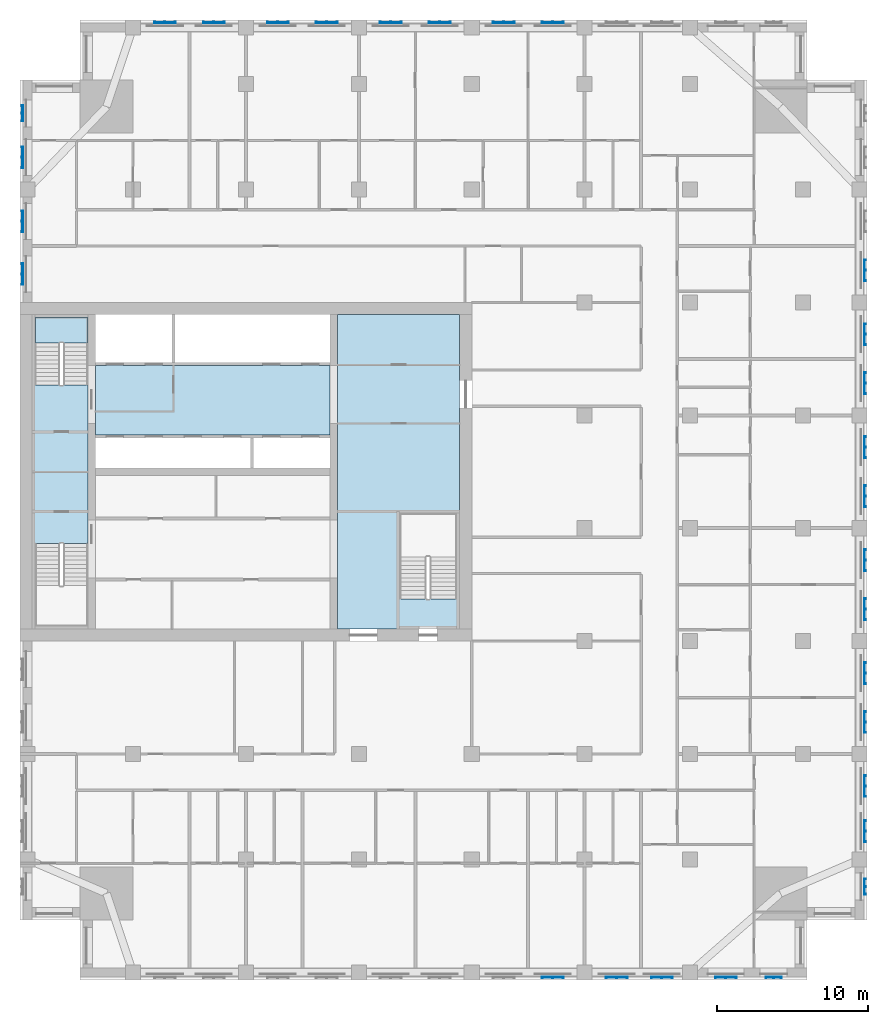
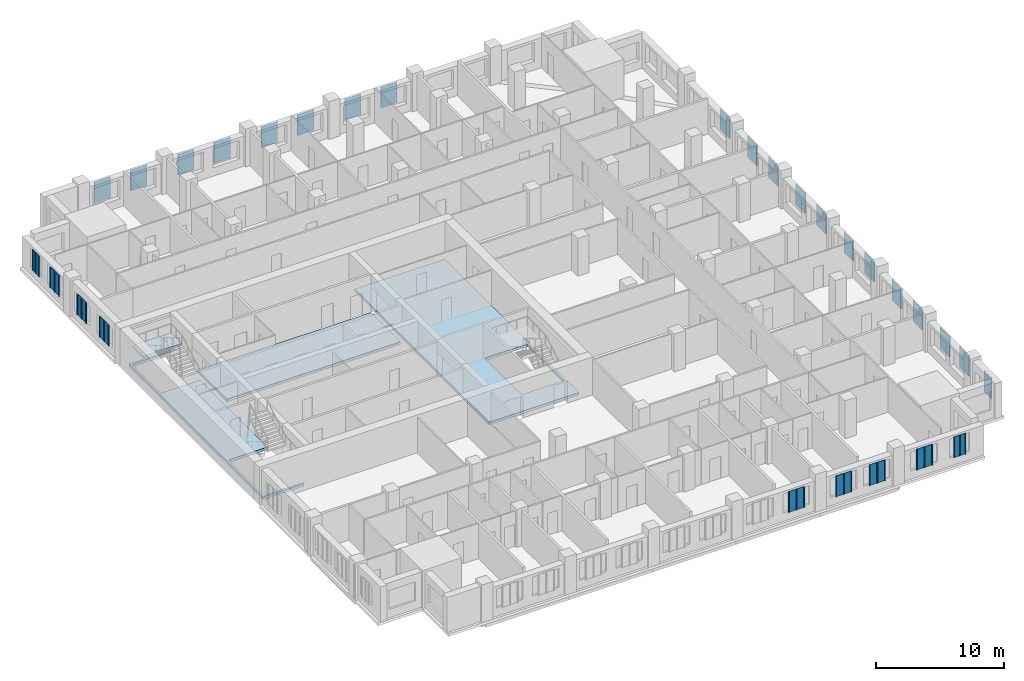
# One storey, part 2 of 14: 29 plates, 4 slabs, 1 element without a shape of its own.
"""IFC4 building model written with IfcOpenShell, lengths in metres."""

import ifcopenshell
import ifcopenshell.guid

model = None  # the IFC model being written
_history = None  # IfcOwnerHistory: only IFC2X3 demands one
_inside = {}  # id of a spatial element -> (the spatial element, [elements in it])
_under = {}  # id of a project, library or spatial element -> (it, [spatial elements below it])
_declared = {}  # id of a project -> (the project, [libraries it declares])
_typed = {}  # id of a type object -> (the type object, [elements of that type])
_made_of = {}  # id of a material, layer set ... -> (it, [elements and type objects made of it])


def new_model(schema):
    """Start an empty IFC model of exactly this schema.

    Asked for "IFC4X3", IfcOpenShell would pick the latest addendum, in which some entities
    have other attributes; the version numbers below select the first issue.
    IFC2X3 requires an IfcOwnerHistory on every rooted entity: one is made here for all.
    """
    global model, _history
    if schema == "IFC4X3":
        model = ifcopenshell.file(schema_version=(4, 3, 0, 0))
    else:
        model = ifcopenshell.file(schema=schema)
    _inside.clear()
    _under.clear()
    _declared.clear()
    _typed.clear()
    _made_of.clear()
    _history = None
    if model.schema == "IFC2X3":
        org = make("IfcOrganization", Name="unknown")
        user = make(
            "IfcPersonAndOrganization",
            ThePerson=make("IfcPerson", FamilyName="unknown"),
            TheOrganization=org,
        )
        app = make(
            "IfcApplication",
            ApplicationDeveloper=org,
            Version="unknown",
            ApplicationFullName="unknown",
            ApplicationIdentifier="unknown",
        )
        _history = make(
            "IfcOwnerHistory",
            OwningUser=user,
            OwningApplication=app,
            ChangeAction="ADDED",
            CreationDate=0,
        )
    return model


def make(cls, **values):
    """One entity of the class cls with the attributes given. An attribute that is None is left unset."""
    return model.create_entity(
        cls, **{name: value for name, value in values.items() if value is not None}
    )


def rooted(cls, **values):
    """An entity with a GlobalId (a new one), such as an element, a storey or a relation."""
    return make(cls, GlobalId=ifcopenshell.guid.new(), OwnerHistory=_history, **values)


def si_unit(unit_type, name, prefix=None):
    """IfcSIUnit, for example si_unit("LENGTHUNIT", "METRE", prefix="MILLI")."""
    return make("IfcSIUnit", UnitType=unit_type, Prefix=prefix, Name=name)


def assignment(units):
    """IfcUnitAssignment: the units of a project."""
    return None if units is None else make("IfcUnitAssignment", Units=units)


def point(xyz):
    """IfcCartesianPoint."""
    return None if xyz is None else make("IfcCartesianPoint", Coordinates=xyz)


def direction(xyz):
    """IfcDirection."""
    return None if xyz is None else make("IfcDirection", DirectionRatios=xyz)


def frame(location, z_axis=None, x_axis=None):
    """IfcAxis2Placement3D, a coordinate frame: its origin and axes. An axis left out is left unset."""
    return make(
        "IfcAxis2Placement3D",
        Location=point(location),
        Axis=direction(z_axis),
        RefDirection=direction(x_axis),
    )


def origin():
    """The frame at (0, 0, 0) with its axes left unset."""
    return frame((0.0, 0.0, 0.0))


def place(relative_to, where):
    """IfcLocalPlacement: puts the frame where relative to a parent placement (None: the world)."""
    return make(
        "IfcLocalPlacement", PlacementRelTo=relative_to, RelativePlacement=where
    )


def context(
    kind, dimensions, precision=None, world=None, true_north=None, identifier=None
):
    """IfcGeometricRepresentationContext, for example the 3D "Model" context."""
    return make(
        "IfcGeometricRepresentationContext",
        ContextIdentifier=identifier,
        ContextType=kind,
        CoordinateSpaceDimension=dimensions,
        Precision=precision,
        WorldCoordinateSystem=world,
        TrueNorth=true_north,
    )


def subcontext(parent, identifier, kind, view, scale=None):
    """IfcGeometricRepresentationSubContext, for example "Body" below "Model"."""
    return make(
        "IfcGeometricRepresentationSubContext",
        ContextIdentifier=identifier,
        ContextType=kind,
        ParentContext=parent,
        TargetScale=scale,
        TargetView=view,
    )


def project(units=None, contexts=None):
    """IfcProject with its units and contexts."""
    return rooted(
        "IfcProject",
        Name="project",
        RepresentationContexts=contexts,
        UnitsInContext=assignment(units),
    )


def spatial(cls, under=None, at=None, **own):
    """A site, building, storey or space (cls), placed at a placement, below another one or the project."""
    s = rooted(cls, ObjectPlacement=at, **own)
    if under is not None:
        _under.setdefault(under.id(), (under, []))[1].append(s)
    return s


def polyline(points):
    """IfcPolyline through the points."""
    return make("IfcPolyline", Points=[point(p) for p in points])


def outline(outer, holes=None, kind="AREA"):
    """IfcArbitraryClosedProfileDef: a profile drawn as a closed curve; with holes, ...WithVoids."""
    if holes is None:
        return make("IfcArbitraryClosedProfileDef", ProfileType=kind, OuterCurve=outer)
    return make(
        "IfcArbitraryProfileDefWithVoids",
        ProfileType=kind,
        OuterCurve=outer,
        InnerCurves=holes,
    )


def extrude(swept, where, along, depth):
    """IfcExtrudedAreaSolid: the profile swept, set in the frame where, extruded along a direction by depth."""
    return make(
        "IfcExtrudedAreaSolid",
        SweptArea=swept,
        Position=where,
        ExtrudedDirection=direction(along),
        Depth=depth,
    )


def shape(context_of_items, identifier, shape_type, items):
    """IfcShapeRepresentation: the items that make up one representation, for example the "Body"."""
    return make(
        "IfcShapeRepresentation",
        ContextOfItems=context_of_items,
        RepresentationIdentifier=identifier,
        RepresentationType=shape_type,
        Items=items,
    )


def material(Name=None, Category=None):
    """IfcMaterial."""
    return make("IfcMaterial", Name=Name, Category=Category)


def layer(
    of_material, thickness, ventilated=None, Name=None, Category=None, Priority=None
):
    """IfcMaterialLayer: one layer of a wall or slab, of a material (None: an air gap)."""
    return make(
        "IfcMaterialLayer",
        Material=of_material,
        LayerThickness=thickness,
        IsVentilated=ventilated,
        Name=Name,
        Category=Category,
        Priority=Priority,
    )


def layer_set(layers, Name=None):
    """IfcMaterialLayerSet."""
    return make("IfcMaterialLayerSet", MaterialLayers=layers, LayerSetName=Name)


def made_of(thing, what):
    """Note that an element or type object is made of a material, layer set ...; save() writes the relation."""
    if what is not None:
        _made_of.setdefault(what.id(), (what, []))[1].append(thing)
    return thing


def type_object(cls, material=None, **own):
    """A type object (cls), such as IfcWallType, which elements share."""
    return made_of(rooted(cls, **own), material)


def element(
    cls,
    number,
    at=None,
    inside=None,
    cuts=None,
    type_object=None,
    material=None,
    context=None,
    identifier="Body",
    shape_type=None,
    held_by="IfcProductDefinitionShape",
    body=None,
    shapes=None,
    **own,
):
    """One element of the class cls, such as IfcWall. Its Tag is "e" and its number.

    at: its placement. inside: the storey or other place that contains it. cuts: it is an
    opening in that element (IfcRelVoidsElement). A single representation is given by context,
    identifier, shape_type and body (its items); several are given by shapes. held_by: the class
    of the entity that holds the representations. save() writes the other relations.
    """
    e = rooted(cls, Tag="e%d" % number, ObjectPlacement=at, **own)
    if body is not None:
        shapes = [shape(context, identifier, shape_type, body)]
    if shapes is not None:
        e.Representation = make(held_by, Representations=shapes)
    if inside is not None:
        _inside.setdefault(inside.id(), (inside, []))[1].append(e)
    if cuts is not None:
        rooted(
            "IfcRelVoidsElement", RelatingBuildingElement=cuts, RelatedOpeningElement=e
        )
    if type_object is not None:
        _typed.setdefault(type_object.id(), (type_object, []))[1].append(e)
    return made_of(e, material)


def aggregate(whole, parts):
    """IfcRelAggregates: a whole, such as a stair, and the parts it consists of."""
    return rooted("IfcRelAggregates", RelatingObject=whole, RelatedObjects=parts)


def save(model, path):
    """Write the relations noted so far, then the file.

    IfcRelAggregates (storeys below a building ...), IfcRelContainedInSpatialStructure (elements
    in a storey), IfcRelDefinesByType, IfcRelAssociatesMaterial and IfcRelDeclares: one each for
    every whole, place, type object, material and project.
    """
    for whole, parts in _under.values():
        aggregate(whole, parts)
    for where, things in _inside.values():
        rooted(
            "IfcRelContainedInSpatialStructure",
            RelatedElements=things,
            RelatingStructure=where,
        )
    for kind, things in _typed.values():
        rooted("IfcRelDefinesByType", RelatedObjects=things, RelatingType=kind)
    for what, things in _made_of.values():
        rooted("IfcRelAssociatesMaterial", RelatedObjects=things, RelatingMaterial=what)
    for by, libraries in _declared.values():
        rooted("IfcRelDeclares", RelatingContext=by, RelatedDefinitions=libraries)
    model.write(path)


model = new_model("IFC4")

# Units and contexts
model_context = context("Model", 3, precision=1e-05, world=origin(), true_north=direction((0.0, 1.0)))
body_context = subcontext(model_context, "Body", "Model", "MODEL_VIEW")
ifc_project = project(units=[si_unit("LENGTHUNIT", "METRE"), si_unit("AREAUNIT", "SQUARE_METRE"), si_unit("VOLUMEUNIT", "CUBIC_METRE"), si_unit("PLANEANGLEUNIT", "RADIAN"), si_unit("MASSUNIT", "GRAM", prefix="KILO")], contexts=[model_context])

# Site, building, storey
site_placement = place(None, origin())
site = spatial("IfcSite", under=ifc_project, at=site_placement, CompositionType="ELEMENT")
building_placement = place(site_placement, origin())
building = spatial("IfcBuilding", under=site, at=building_placement, Name="Tamorin Gate", CompositionType="ELEMENT")
storey_placement = place(building_placement, frame((0.0, 0.0, 155.39990234375)))
storey = spatial("IfcBuildingStorey", under=building, at=storey_placement, Name="L38", CompositionType="ELEMENT", Elevation=155.39990234375)

# Slabs
ifc_material_1 = material(Name="Concrete C40/50", Category="concrete")
ifc_layer_1 = layer(ifc_material_1, 0.25)
ifc_layer_set_1 = layer_set([ifc_layer_1], Name="Core floor slab 250 C40/50")
slab_type_1 = type_object("IfcSlabType", Name="Core floor slab 250 C40/50", PredefinedType="FLOOR", material=ifc_layer_set_1)
slab_1_placement = place(storey_placement, frame((0.0, 0.0, -0.25)))
element("IfcSlab", 1, at=slab_1_placement, inside=storey, type_object=slab_type_1, Name="Core floor L38", PredefinedType="FLOOR", context=body_context, shape_type="SweptSolid", body=[
    extrude(outline(polyline([(51.10009765625, 81.699951171875), (59.199951171875, 81.699951171875), (59.199951171875, 60.800048828125), (51.10009765625, 60.800048828125), (51.10009765625, 81.699951171875)]), holes=[polyline([(55.199951171875, 62.800048828125), (59.0, 62.800048828125), (59.0, 68.5), (55.199951171875, 68.5), (55.199951171875, 62.800048828125)])]), origin(), (0.0, 0.0, 1.0), 0.25),
])
slab_2_placement = place(storey_placement, frame((0.0, 0.0, -0.25)))
element("IfcSlab", 2, at=slab_2_placement, inside=storey, type_object=slab_type_1, Name="Core floor L38", PredefinedType="FLOOR", context=body_context, shape_type="SweptSolid", body=[
    extrude(outline(polyline([(50.60009765625, 73.699951171875), (35.0, 73.699951171875), (35.0, 78.300048828125), (50.60009765625, 78.300048828125), (50.60009765625, 73.699951171875)])), origin(), (0.0, 0.0, 1.0), 0.25),
])
slab_3_placement = place(storey_placement, frame((0.0, 0.0, -0.25)))
element("IfcSlab", 3, at=slab_3_placement, inside=storey, type_object=slab_type_1, Name="Core floor L38", PredefinedType="FLOOR", context=body_context, shape_type="SweptSolid", body=[
    extrude(outline(polyline([(34.5, 60.800048828125), (30.800048828125, 60.800048828125), (30.800048828125, 81.699951171875), (34.5, 81.699951171875), (34.5, 81.5), (31.0, 81.5), (31.0, 77.0), (34.5, 77.0), (34.5, 66.5), (31.0, 66.5), (31.0, 61.0), (34.5, 61.0), (34.5, 60.800048828125)])), origin(), (0.0, 0.0, 1.0), 0.25),
])

# Stair, slab
stair_type = type_object("IfcStairType", Name="Exit stair", PredefinedType="HALF_TURN_STAIR", material=ifc_material_1)
stair_placement = place(storey_placement, origin())
stair = element("IfcStair", 4, at=stair_placement, inside=storey, type_object=stair_type, Name="L38 stair ST2", PredefinedType="HALF_TURN_STAIR")
ifc_layer_2 = layer(ifc_material_1, 0.199951171875)
ifc_layer_set_2 = layer_set([ifc_layer_2], Name="Exit stair landing 200")
slab_type_2 = type_object("IfcSlabType", Name="Exit stair landing 200", PredefinedType="LANDING", material=ifc_layer_set_2)
slab_4_placement = place(storey_placement, frame((0.0, 0.0, 1.60009765625)))
slab_4 = element("IfcSlab", 5, at=slab_4_placement, type_object=slab_type_2, Name="ST2 landing 1", PredefinedType="LANDING", context=body_context, shape_type="SweptSolid", body=[
    extrude(outline(polyline([(34.5, 79.800048828125), (34.5, 81.5), (31.0, 81.5), (31.0, 79.800048828125), (34.5, 79.800048828125)])), origin(), (0.0, 0.0, 1.0), 0.199951171875),
])
aggregate(stair, [slab_4])

# Plates
ifc_material_2 = material(Name="Perforated pale aluminium sheet", Category="aluminium")
ifc_layer_3 = layer(ifc_material_2, 0.0400390625)
ifc_layer_set_3 = layer_set([ifc_layer_3], Name="Pale metal solar screen 1080")
plate_type_1 = type_object("IfcPlateType", Name="Pale metal solar screen 1080", PredefinedType="SHEET", material=ifc_layer_set_3)
plate_1_placement = place(storey_placement, frame((0.0, 0.0, 0.710205078125)))
element("IfcPlate", 6, at=plate_1_placement, inside=storey, type_object=plate_type_1, Name="Perforated solar screen", PredefinedType="SHEET", context=body_context, shape_type="SweptSolid", body=[
    extrude(outline(polyline([(79.510009765625, 37.659912109375), (79.510009765625, 37.699951171875), (79.570068359375, 37.699951171875), (80.02001953125, 37.699951171875), (80.080078125, 37.699951171875), (80.530029296875, 37.699951171875), (80.590087890625, 37.699951171875), (80.590087890625, 37.659912109375), (80.590087890625, 37.60009765625), (80.530029296875, 37.60009765625), (80.530029296875, 37.659912109375), (80.080078125, 37.659912109375), (80.080078125, 37.60009765625), (80.02001953125, 37.60009765625), (80.02001953125, 37.659912109375), (79.570068359375, 37.659912109375), (79.570068359375, 37.60009765625), (79.510009765625, 37.60009765625), (79.510009765625, 37.659912109375)])), origin(), (0.0, 0.0, 1.0), 1.97998046875),
])
plate_2_placement = place(storey_placement, frame((0.0, 0.0, 0.710205078125)))
element("IfcPlate", 7, at=plate_2_placement, inside=storey, type_object=plate_type_1, Name="Perforated solar screen", PredefinedType="SHEET", context=body_context, shape_type="SweptSolid", body=[
    extrude(outline(polyline([(86.090087890625, 43.159912109375), (86.050048828125, 43.159912109375), (86.050048828125, 43.219970703125), (86.050048828125, 43.669921875), (86.050048828125, 43.72998046875), (86.050048828125, 44.179931640625), (86.050048828125, 44.239990234375), (86.090087890625, 44.239990234375), (86.14990234375, 44.239990234375), (86.14990234375, 44.179931640625), (86.090087890625, 44.179931640625), (86.090087890625, 43.72998046875), (86.14990234375, 43.72998046875), (86.14990234375, 43.669921875), (86.090087890625, 43.669921875), (86.090087890625, 43.219970703125), (86.14990234375, 43.219970703125), (86.14990234375, 43.159912109375), (86.090087890625, 43.159912109375)])), origin(), (0.0, 0.0, 1.0), 1.97998046875),
])
plate_3_placement = place(storey_placement, frame((0.0, 0.0, 0.710205078125)))
element("IfcPlate", 8, at=plate_3_placement, inside=storey, type_object=plate_type_1, Name="Perforated solar screen", PredefinedType="SHEET", context=body_context, shape_type="SweptSolid", body=[
    extrude(outline(polyline([(30.159912109375, 95.590087890625), (30.199951171875, 95.590087890625), (30.199951171875, 95.530029296875), (30.199951171875, 95.080078125), (30.199951171875, 95.02001953125), (30.199951171875, 94.570068359375), (30.199951171875, 94.510009765625), (30.159912109375, 94.510009765625), (30.10009765625, 94.510009765625), (30.10009765625, 94.570068359375), (30.159912109375, 94.570068359375), (30.159912109375, 95.02001953125), (30.10009765625, 95.02001953125), (30.10009765625, 95.080078125), (30.159912109375, 95.080078125), (30.159912109375, 95.530029296875), (30.10009765625, 95.530029296875), (30.10009765625, 95.590087890625), (30.159912109375, 95.590087890625)])), origin(), (0.0, 0.0, 1.0), 1.97998046875),
])
ifc_layer_4 = layer(ifc_material_2, 0.0400390625)
ifc_layer_set_4 = layer_set([ifc_layer_4], Name="Pale metal solar screen 1440")
plate_type_2 = type_object("IfcPlateType", Name="Pale metal solar screen 1440", PredefinedType="SHEET", material=ifc_layer_set_4)
plate_4_placement = place(storey_placement, frame((0.0, 0.0, 0.710205078125)))
element("IfcPlate", 9, at=plate_4_placement, inside=storey, type_object=plate_type_2, Name="Perforated solar screen", PredefinedType="SHEET", context=body_context, shape_type="SweptSolid", body=[
    extrude(outline(polyline([(64.655029296875, 37.659912109375), (64.655029296875, 37.699951171875), (64.715087890625, 37.699951171875), (65.344970703125, 37.699951171875), (65.405029296875, 37.699951171875), (66.034912109375, 37.699951171875), (66.094970703125, 37.699951171875), (66.094970703125, 37.659912109375), (66.094970703125, 37.60009765625), (66.034912109375, 37.60009765625), (66.034912109375, 37.659912109375), (65.405029296875, 37.659912109375), (65.405029296875, 37.60009765625), (65.344970703125, 37.60009765625), (65.344970703125, 37.659912109375), (64.715087890625, 37.659912109375), (64.715087890625, 37.60009765625), (64.655029296875, 37.60009765625), (64.655029296875, 37.659912109375)])), origin(), (0.0, 0.0, 1.0), 1.97998046875),
])
plate_5_placement = place(storey_placement, frame((0.0, 0.0, 0.710205078125)))
element("IfcPlate", 10, at=plate_5_placement, inside=storey, type_object=plate_type_2, Name="Perforated solar screen", PredefinedType="SHEET", context=body_context, shape_type="SweptSolid", body=[
    extrude(outline(polyline([(68.905029296875, 37.659912109375), (68.905029296875, 37.699951171875), (68.965087890625, 37.699951171875), (69.594970703125, 37.699951171875), (69.655029296875, 37.699951171875), (70.284912109375, 37.699951171875), (70.344970703125, 37.699951171875), (70.344970703125, 37.659912109375), (70.344970703125, 37.60009765625), (70.284912109375, 37.60009765625), (70.284912109375, 37.659912109375), (69.655029296875, 37.659912109375), (69.655029296875, 37.60009765625), (69.594970703125, 37.60009765625), (69.594970703125, 37.659912109375), (68.965087890625, 37.659912109375), (68.965087890625, 37.60009765625), (68.905029296875, 37.60009765625), (68.905029296875, 37.659912109375)])), origin(), (0.0, 0.0, 1.0), 1.97998046875),
])
plate_6_placement = place(storey_placement, frame((0.0, 0.0, 0.710205078125)))
element("IfcPlate", 11, at=plate_6_placement, inside=storey, type_object=plate_type_2, Name="Perforated solar screen", PredefinedType="SHEET", context=body_context, shape_type="SweptSolid", body=[
    extrude(outline(polyline([(71.905029296875, 37.659912109375), (71.905029296875, 37.699951171875), (71.965087890625, 37.699951171875), (72.594970703125, 37.699951171875), (72.655029296875, 37.699951171875), (73.284912109375, 37.699951171875), (73.344970703125, 37.699951171875), (73.344970703125, 37.659912109375), (73.344970703125, 37.60009765625), (73.284912109375, 37.60009765625), (73.284912109375, 37.659912109375), (72.655029296875, 37.659912109375), (72.655029296875, 37.60009765625), (72.594970703125, 37.60009765625), (72.594970703125, 37.659912109375), (71.965087890625, 37.659912109375), (71.965087890625, 37.60009765625), (71.905029296875, 37.60009765625), (71.905029296875, 37.659912109375)])), origin(), (0.0, 0.0, 1.0), 1.97998046875),
])
plate_7_placement = place(storey_placement, frame((0.0, 0.0, 0.710205078125)))
element("IfcPlate", 12, at=plate_7_placement, inside=storey, type_object=plate_type_2, Name="Perforated solar screen", PredefinedType="SHEET", context=body_context, shape_type="SweptSolid", body=[
    extrude(outline(polyline([(76.155029296875, 37.659912109375), (76.155029296875, 37.699951171875), (76.215087890625, 37.699951171875), (76.844970703125, 37.699951171875), (76.905029296875, 37.699951171875), (77.534912109375, 37.699951171875), (77.594970703125, 37.699951171875), (77.594970703125, 37.659912109375), (77.594970703125, 37.60009765625), (77.534912109375, 37.60009765625), (77.534912109375, 37.659912109375), (76.905029296875, 37.659912109375), (76.905029296875, 37.60009765625), (76.844970703125, 37.60009765625), (76.844970703125, 37.659912109375), (76.215087890625, 37.659912109375), (76.215087890625, 37.60009765625), (76.155029296875, 37.60009765625), (76.155029296875, 37.659912109375)])), origin(), (0.0, 0.0, 1.0), 1.97998046875),
])
plate_8_placement = place(storey_placement, frame((0.0, 0.0, 0.710205078125)))
element("IfcPlate", 13, at=plate_8_placement, inside=storey, type_object=plate_type_2, Name="Perforated solar screen", PredefinedType="SHEET", context=body_context, shape_type="SweptSolid", body=[
    extrude(outline(polyline([(86.090087890625, 46.655029296875), (86.050048828125, 46.655029296875), (86.050048828125, 46.715087890625), (86.050048828125, 47.344970703125), (86.050048828125, 47.405029296875), (86.050048828125, 48.034912109375), (86.050048828125, 48.094970703125), (86.050048828125, 48.094970703125), (86.090087890625, 48.094970703125), (86.090087890625, 48.094970703125), (86.14990234375, 48.094970703125), (86.14990234375, 48.034912109375), (86.090087890625, 48.034912109375), (86.090087890625, 47.405029296875), (86.14990234375, 47.405029296875), (86.14990234375, 47.344970703125), (86.090087890625, 47.344970703125), (86.090087890625, 46.715087890625), (86.14990234375, 46.715087890625), (86.14990234375, 46.655029296875), (86.090087890625, 46.655029296875)])), origin(), (0.0, 0.0, 1.0), 1.97998046875),
])
plate_9_placement = place(storey_placement, frame((0.0, 0.0, 0.710205078125)))
element("IfcPlate", 14, at=plate_9_placement, inside=storey, type_object=plate_type_2, Name="Perforated solar screen", PredefinedType="SHEET", context=body_context, shape_type="SweptSolid", body=[
    extrude(outline(polyline([(86.090087890625, 49.655029296875), (86.050048828125, 49.655029296875), (86.050048828125, 49.715087890625), (86.050048828125, 50.344970703125), (86.050048828125, 50.405029296875), (86.050048828125, 51.034912109375), (86.050048828125, 51.094970703125), (86.090087890625, 51.094970703125), (86.14990234375, 51.094970703125), (86.14990234375, 51.034912109375), (86.090087890625, 51.034912109375), (86.090087890625, 50.405029296875), (86.14990234375, 50.405029296875), (86.14990234375, 50.344970703125), (86.090087890625, 50.344970703125), (86.090087890625, 49.715087890625), (86.14990234375, 49.715087890625), (86.14990234375, 49.655029296875), (86.090087890625, 49.655029296875)])), origin(), (0.0, 0.0, 1.0), 1.97998046875),
])
plate_10_placement = place(storey_placement, frame((0.0, 0.0, 0.710205078125)))
element("IfcPlate", 15, at=plate_10_placement, inside=storey, type_object=plate_type_2, Name="Perforated solar screen", PredefinedType="SHEET", context=body_context, shape_type="SweptSolid", body=[
    extrude(outline(polyline([(86.090087890625, 53.905029296875), (86.050048828125, 53.905029296875), (86.050048828125, 53.965087890625), (86.050048828125, 54.594970703125), (86.050048828125, 54.655029296875), (86.050048828125, 55.284912109375), (86.050048828125, 55.344970703125), (86.090087890625, 55.344970703125), (86.14990234375, 55.344970703125), (86.14990234375, 55.284912109375), (86.090087890625, 55.284912109375), (86.090087890625, 54.655029296875), (86.14990234375, 54.655029296875), (86.14990234375, 54.594970703125), (86.090087890625, 54.594970703125), (86.090087890625, 53.965087890625), (86.14990234375, 53.965087890625), (86.14990234375, 53.905029296875), (86.090087890625, 53.905029296875)])), origin(), (0.0, 0.0, 1.0), 1.97998046875),
])
plate_11_placement = place(storey_placement, frame((0.0, 0.0, 0.710205078125)))
element("IfcPlate", 16, at=plate_11_placement, inside=storey, type_object=plate_type_2, Name="Perforated solar screen", PredefinedType="SHEET", context=body_context, shape_type="SweptSolid", body=[
    extrude(outline(polyline([(86.090087890625, 57.155029296875), (86.050048828125, 57.155029296875), (86.050048828125, 57.215087890625), (86.050048828125, 57.844970703125), (86.050048828125, 57.905029296875), (86.050048828125, 58.534912109375), (86.050048828125, 58.594970703125), (86.090087890625, 58.594970703125), (86.14990234375, 58.594970703125), (86.14990234375, 58.534912109375), (86.090087890625, 58.534912109375), (86.090087890625, 57.905029296875), (86.14990234375, 57.905029296875), (86.14990234375, 57.844970703125), (86.090087890625, 57.844970703125), (86.090087890625, 57.215087890625), (86.14990234375, 57.215087890625), (86.14990234375, 57.155029296875), (86.090087890625, 57.155029296875)])), origin(), (0.0, 0.0, 1.0), 1.97998046875),
])
plate_12_placement = place(storey_placement, frame((0.0, 0.0, 0.710205078125)))
element("IfcPlate", 17, at=plate_12_placement, inside=storey, type_object=plate_type_2, Name="Perforated solar screen", PredefinedType="SHEET", context=body_context, shape_type="SweptSolid", body=[
    extrude(outline(polyline([(86.090087890625, 61.405029296875), (86.050048828125, 61.405029296875), (86.050048828125, 61.465087890625), (86.050048828125, 62.094970703125), (86.050048828125, 62.155029296875), (86.050048828125, 62.784912109375), (86.050048828125, 62.844970703125), (86.090087890625, 62.844970703125), (86.14990234375, 62.844970703125), (86.14990234375, 62.784912109375), (86.090087890625, 62.784912109375), (86.090087890625, 62.155029296875), (86.14990234375, 62.155029296875), (86.14990234375, 62.094970703125), (86.090087890625, 62.094970703125), (86.090087890625, 61.465087890625), (86.14990234375, 61.465087890625), (86.14990234375, 61.405029296875), (86.090087890625, 61.405029296875)])), origin(), (0.0, 0.0, 1.0), 1.97998046875),
])
plate_13_placement = place(storey_placement, frame((0.0, 0.0, 0.710205078125)))
element("IfcPlate", 18, at=plate_13_placement, inside=storey, type_object=plate_type_2, Name="Perforated solar screen", PredefinedType="SHEET", context=body_context, shape_type="SweptSolid", body=[
    extrude(outline(polyline([(86.090087890625, 64.655029296875), (86.050048828125, 64.655029296875), (86.050048828125, 64.715087890625), (86.050048828125, 65.344970703125), (86.050048828125, 65.405029296875), (86.050048828125, 66.034912109375), (86.050048828125, 66.094970703125), (86.090087890625, 66.094970703125), (86.14990234375, 66.094970703125), (86.14990234375, 66.034912109375), (86.090087890625, 66.034912109375), (86.090087890625, 65.405029296875), (86.14990234375, 65.405029296875), (86.14990234375, 65.344970703125), (86.090087890625, 65.344970703125), (86.090087890625, 64.715087890625), (86.14990234375, 64.715087890625), (86.14990234375, 64.655029296875), (86.090087890625, 64.655029296875)])), origin(), (0.0, 0.0, 1.0), 1.97998046875),
])
plate_14_placement = place(storey_placement, frame((0.0, 0.0, 0.710205078125)))
element("IfcPlate", 19, at=plate_14_placement, inside=storey, type_object=plate_type_2, Name="Perforated solar screen", PredefinedType="SHEET", context=body_context, shape_type="SweptSolid", body=[
    extrude(outline(polyline([(86.090087890625, 68.905029296875), (86.050048828125, 68.905029296875), (86.050048828125, 68.965087890625), (86.050048828125, 69.594970703125), (86.050048828125, 69.655029296875), (86.050048828125, 70.284912109375), (86.050048828125, 70.344970703125), (86.090087890625, 70.344970703125), (86.14990234375, 70.344970703125), (86.14990234375, 70.284912109375), (86.090087890625, 70.284912109375), (86.090087890625, 69.655029296875), (86.14990234375, 69.655029296875), (86.14990234375, 69.594970703125), (86.090087890625, 69.594970703125), (86.090087890625, 68.965087890625), (86.14990234375, 68.965087890625), (86.14990234375, 68.905029296875), (86.090087890625, 68.905029296875)])), origin(), (0.0, 0.0, 1.0), 1.97998046875),
])
plate_15_placement = place(storey_placement, frame((0.0, 0.0, 0.710205078125)))
element("IfcPlate", 20, at=plate_15_placement, inside=storey, type_object=plate_type_2, Name="Perforated solar screen", PredefinedType="SHEET", context=body_context, shape_type="SweptSolid", body=[
    extrude(outline(polyline([(86.090087890625, 72.155029296875), (86.050048828125, 72.155029296875), (86.050048828125, 72.215087890625), (86.050048828125, 72.844970703125), (86.050048828125, 72.905029296875), (86.050048828125, 73.534912109375), (86.050048828125, 73.594970703125), (86.090087890625, 73.594970703125), (86.14990234375, 73.594970703125), (86.14990234375, 73.534912109375), (86.090087890625, 73.534912109375), (86.090087890625, 72.905029296875), (86.14990234375, 72.905029296875), (86.14990234375, 72.844970703125), (86.090087890625, 72.844970703125), (86.090087890625, 72.215087890625), (86.14990234375, 72.215087890625), (86.14990234375, 72.155029296875), (86.090087890625, 72.155029296875)])), origin(), (0.0, 0.0, 1.0), 1.97998046875),
])
plate_16_placement = place(storey_placement, frame((0.0, 0.0, 0.710205078125)))
element("IfcPlate", 21, at=plate_16_placement, inside=storey, type_object=plate_type_2, Name="Perforated solar screen", PredefinedType="SHEET", context=body_context, shape_type="SweptSolid", body=[
    extrude(outline(polyline([(86.090087890625, 76.405029296875), (86.050048828125, 76.405029296875), (86.050048828125, 76.465087890625), (86.050048828125, 77.094970703125), (86.050048828125, 77.155029296875), (86.050048828125, 77.784912109375), (86.050048828125, 77.844970703125), (86.090087890625, 77.844970703125), (86.14990234375, 77.844970703125), (86.14990234375, 77.784912109375), (86.090087890625, 77.784912109375), (86.090087890625, 77.155029296875), (86.14990234375, 77.155029296875), (86.14990234375, 77.094970703125), (86.090087890625, 77.094970703125), (86.090087890625, 76.465087890625), (86.14990234375, 76.465087890625), (86.14990234375, 76.405029296875), (86.090087890625, 76.405029296875)])), origin(), (0.0, 0.0, 1.0), 1.97998046875),
])
plate_17_placement = place(storey_placement, frame((0.0, 0.0, 0.710205078125)))
element("IfcPlate", 22, at=plate_17_placement, inside=storey, type_object=plate_type_2, Name="Perforated solar screen", PredefinedType="SHEET", context=body_context, shape_type="SweptSolid", body=[
    extrude(outline(polyline([(86.090087890625, 79.655029296875), (86.050048828125, 79.655029296875), (86.050048828125, 79.715087890625), (86.050048828125, 80.344970703125), (86.050048828125, 80.405029296875), (86.050048828125, 81.034912109375), (86.050048828125, 81.094970703125), (86.090087890625, 81.094970703125), (86.14990234375, 81.094970703125), (86.14990234375, 81.034912109375), (86.090087890625, 81.034912109375), (86.090087890625, 80.405029296875), (86.14990234375, 80.405029296875), (86.14990234375, 80.344970703125), (86.090087890625, 80.344970703125), (86.090087890625, 79.715087890625), (86.14990234375, 79.715087890625), (86.14990234375, 79.655029296875), (86.090087890625, 79.655029296875)])), origin(), (0.0, 0.0, 1.0), 1.97998046875),
])
plate_18_placement = place(storey_placement, frame((0.0, 0.0, 0.710205078125)))
element("IfcPlate", 23, at=plate_18_placement, inside=storey, type_object=plate_type_2, Name="Perforated solar screen", PredefinedType="SHEET", context=body_context, shape_type="SweptSolid", body=[
    extrude(outline(polyline([(86.090087890625, 83.905029296875), (86.050048828125, 83.905029296875), (86.050048828125, 83.965087890625), (86.050048828125, 84.594970703125), (86.050048828125, 84.655029296875), (86.050048828125, 85.284912109375), (86.050048828125, 85.344970703125), (86.090087890625, 85.344970703125), (86.14990234375, 85.344970703125), (86.14990234375, 85.284912109375), (86.090087890625, 85.284912109375), (86.090087890625, 84.655029296875), (86.14990234375, 84.655029296875), (86.14990234375, 84.594970703125), (86.090087890625, 84.594970703125), (86.090087890625, 83.965087890625), (86.14990234375, 83.965087890625), (86.14990234375, 83.905029296875), (86.090087890625, 83.905029296875)])), origin(), (0.0, 0.0, 1.0), 1.97998046875),
])
plate_19_placement = place(storey_placement, frame((0.0, 0.0, 0.710205078125)))
element("IfcPlate", 24, at=plate_19_placement, inside=storey, type_object=plate_type_2, Name="Perforated solar screen", PredefinedType="SHEET", context=body_context, shape_type="SweptSolid", body=[
    extrude(outline(polyline([(62.844970703125, 101.090087890625), (62.844970703125, 101.050048828125), (62.784912109375, 101.050048828125), (62.155029296875, 101.050048828125), (62.094970703125, 101.050048828125), (61.465087890625, 101.050048828125), (61.405029296875, 101.050048828125), (61.405029296875, 101.090087890625), (61.405029296875, 101.14990234375), (61.465087890625, 101.14990234375), (61.465087890625, 101.090087890625), (62.094970703125, 101.090087890625), (62.094970703125, 101.14990234375), (62.155029296875, 101.14990234375), (62.155029296875, 101.090087890625), (62.784912109375, 101.090087890625), (62.784912109375, 101.14990234375), (62.844970703125, 101.14990234375), (62.844970703125, 101.090087890625)])), origin(), (0.0, 0.0, 1.0), 1.97998046875),
])
plate_20_placement = place(storey_placement, frame((0.0, 0.0, 0.710205078125)))
element("IfcPlate", 25, at=plate_20_placement, inside=storey, type_object=plate_type_2, Name="Perforated solar screen", PredefinedType="SHEET", context=body_context, shape_type="SweptSolid", body=[
    extrude(outline(polyline([(66.094970703125, 101.090087890625), (66.094970703125, 101.050048828125), (66.034912109375, 101.050048828125), (65.405029296875, 101.050048828125), (65.344970703125, 101.050048828125), (64.715087890625, 101.050048828125), (64.655029296875, 101.050048828125), (64.655029296875, 101.090087890625), (64.655029296875, 101.14990234375), (64.715087890625, 101.14990234375), (64.715087890625, 101.090087890625), (65.344970703125, 101.090087890625), (65.344970703125, 101.14990234375), (65.405029296875, 101.14990234375), (65.405029296875, 101.090087890625), (66.034912109375, 101.090087890625), (66.034912109375, 101.14990234375), (66.094970703125, 101.14990234375), (66.094970703125, 101.090087890625)])), origin(), (0.0, 0.0, 1.0), 1.97998046875),
])
plate_21_placement = place(storey_placement, frame((0.0, 0.0, 0.710205078125)))
element("IfcPlate", 26, at=plate_21_placement, inside=storey, type_object=plate_type_2, Name="Perforated solar screen", PredefinedType="SHEET", context=body_context, shape_type="SweptSolid", body=[
    extrude(outline(polyline([(55.344970703125, 101.090087890625), (55.344970703125, 101.050048828125), (55.284912109375, 101.050048828125), (54.655029296875, 101.050048828125), (54.594970703125, 101.050048828125), (53.965087890625, 101.050048828125), (53.905029296875, 101.050048828125), (53.905029296875, 101.090087890625), (53.905029296875, 101.14990234375), (53.965087890625, 101.14990234375), (53.965087890625, 101.090087890625), (54.594970703125, 101.090087890625), (54.594970703125, 101.14990234375), (54.655029296875, 101.14990234375), (54.655029296875, 101.090087890625), (55.284912109375, 101.090087890625), (55.284912109375, 101.14990234375), (55.344970703125, 101.14990234375), (55.344970703125, 101.090087890625)])), origin(), (0.0, 0.0, 1.0), 1.97998046875),
])
plate_22_placement = place(storey_placement, frame((0.0, 0.0, 0.710205078125)))
element("IfcPlate", 27, at=plate_22_placement, inside=storey, type_object=plate_type_2, Name="Perforated solar screen", PredefinedType="SHEET", context=body_context, shape_type="SweptSolid", body=[
    extrude(outline(polyline([(58.594970703125, 101.090087890625), (58.594970703125, 101.050048828125), (58.534912109375, 101.050048828125), (57.905029296875, 101.050048828125), (57.844970703125, 101.050048828125), (57.215087890625, 101.050048828125), (57.155029296875, 101.050048828125), (57.155029296875, 101.090087890625), (57.155029296875, 101.14990234375), (57.215087890625, 101.14990234375), (57.215087890625, 101.090087890625), (57.844970703125, 101.090087890625), (57.844970703125, 101.14990234375), (57.905029296875, 101.14990234375), (57.905029296875, 101.090087890625), (58.534912109375, 101.090087890625), (58.534912109375, 101.14990234375), (58.594970703125, 101.14990234375), (58.594970703125, 101.090087890625)])), origin(), (0.0, 0.0, 1.0), 1.97998046875),
])
plate_23_placement = place(storey_placement, frame((0.0, 0.0, 0.710205078125)))
element("IfcPlate", 28, at=plate_23_placement, inside=storey, type_object=plate_type_2, Name="Perforated solar screen", PredefinedType="SHEET", context=body_context, shape_type="SweptSolid", body=[
    extrude(outline(polyline([(47.844970703125, 101.090087890625), (47.844970703125, 101.050048828125), (47.784912109375, 101.050048828125), (47.155029296875, 101.050048828125), (47.094970703125, 101.050048828125), (46.465087890625, 101.050048828125), (46.405029296875, 101.050048828125), (46.405029296875, 101.090087890625), (46.405029296875, 101.14990234375), (46.465087890625, 101.14990234375), (46.465087890625, 101.090087890625), (47.094970703125, 101.090087890625), (47.094970703125, 101.14990234375), (47.155029296875, 101.14990234375), (47.155029296875, 101.090087890625), (47.784912109375, 101.090087890625), (47.784912109375, 101.14990234375), (47.844970703125, 101.14990234375), (47.844970703125, 101.090087890625)])), origin(), (0.0, 0.0, 1.0), 1.97998046875),
])
plate_24_placement = place(storey_placement, frame((0.0, 0.0, 0.710205078125)))
element("IfcPlate", 29, at=plate_24_placement, inside=storey, type_object=plate_type_2, Name="Perforated solar screen", PredefinedType="SHEET", context=body_context, shape_type="SweptSolid", body=[
    extrude(outline(polyline([(51.094970703125, 101.090087890625), (51.094970703125, 101.050048828125), (51.034912109375, 101.050048828125), (50.405029296875, 101.050048828125), (50.344970703125, 101.050048828125), (49.715087890625, 101.050048828125), (49.655029296875, 101.050048828125), (49.655029296875, 101.090087890625), (49.655029296875, 101.14990234375), (49.715087890625, 101.14990234375), (49.715087890625, 101.090087890625), (50.344970703125, 101.090087890625), (50.344970703125, 101.14990234375), (50.405029296875, 101.14990234375), (50.405029296875, 101.090087890625), (51.034912109375, 101.090087890625), (51.034912109375, 101.14990234375), (51.094970703125, 101.14990234375), (51.094970703125, 101.090087890625)])), origin(), (0.0, 0.0, 1.0), 1.97998046875),
])
plate_25_placement = place(storey_placement, frame((0.0, 0.0, 0.710205078125)))
element("IfcPlate", 30, at=plate_25_placement, inside=storey, type_object=plate_type_2, Name="Perforated solar screen", PredefinedType="SHEET", context=body_context, shape_type="SweptSolid", body=[
    extrude(outline(polyline([(40.344970703125, 101.090087890625), (40.344970703125, 101.050048828125), (40.284912109375, 101.050048828125), (39.655029296875, 101.050048828125), (39.594970703125, 101.050048828125), (38.965087890625, 101.050048828125), (38.905029296875, 101.050048828125), (38.905029296875, 101.090087890625), (38.905029296875, 101.14990234375), (38.965087890625, 101.14990234375), (38.965087890625, 101.090087890625), (39.594970703125, 101.090087890625), (39.594970703125, 101.14990234375), (39.655029296875, 101.14990234375), (39.655029296875, 101.090087890625), (40.284912109375, 101.090087890625), (40.284912109375, 101.14990234375), (40.344970703125, 101.14990234375), (40.344970703125, 101.090087890625)])), origin(), (0.0, 0.0, 1.0), 1.97998046875),
])
plate_26_placement = place(storey_placement, frame((0.0, 0.0, 0.710205078125)))
element("IfcPlate", 31, at=plate_26_placement, inside=storey, type_object=plate_type_2, Name="Perforated solar screen", PredefinedType="SHEET", context=body_context, shape_type="SweptSolid", body=[
    extrude(outline(polyline([(43.594970703125, 101.090087890625), (43.594970703125, 101.050048828125), (43.534912109375, 101.050048828125), (42.905029296875, 101.050048828125), (42.844970703125, 101.050048828125), (42.215087890625, 101.050048828125), (42.155029296875, 101.050048828125), (42.155029296875, 101.090087890625), (42.155029296875, 101.14990234375), (42.215087890625, 101.14990234375), (42.215087890625, 101.090087890625), (42.844970703125, 101.090087890625), (42.844970703125, 101.14990234375), (42.905029296875, 101.14990234375), (42.905029296875, 101.090087890625), (43.534912109375, 101.090087890625), (43.534912109375, 101.14990234375), (43.594970703125, 101.14990234375), (43.594970703125, 101.090087890625)])), origin(), (0.0, 0.0, 1.0), 1.97998046875),
])
plate_27_placement = place(storey_placement, frame((0.0, 0.0, 0.710205078125)))
element("IfcPlate", 32, at=plate_27_placement, inside=storey, type_object=plate_type_2, Name="Perforated solar screen", PredefinedType="SHEET", context=body_context, shape_type="SweptSolid", body=[
    extrude(outline(polyline([(30.159912109375, 92.844970703125), (30.199951171875, 92.844970703125), (30.199951171875, 92.784912109375), (30.199951171875, 92.155029296875), (30.199951171875, 92.094970703125), (30.199951171875, 91.465087890625), (30.199951171875, 91.405029296875), (30.199951171875, 91.405029296875), (30.159912109375, 91.405029296875), (30.159912109375, 91.405029296875), (30.10009765625, 91.405029296875), (30.10009765625, 91.465087890625), (30.159912109375, 91.465087890625), (30.159912109375, 92.094970703125), (30.10009765625, 92.094970703125), (30.10009765625, 92.155029296875), (30.159912109375, 92.155029296875), (30.159912109375, 92.784912109375), (30.10009765625, 92.784912109375), (30.10009765625, 92.844970703125), (30.159912109375, 92.844970703125)])), origin(), (0.0, 0.0, 1.0), 1.97998046875),
])
plate_28_placement = place(storey_placement, frame((0.0, 0.0, 0.710205078125)))
element("IfcPlate", 33, at=plate_28_placement, inside=storey, type_object=plate_type_2, Name="Perforated solar screen", PredefinedType="SHEET", context=body_context, shape_type="SweptSolid", body=[
    extrude(outline(polyline([(30.159912109375, 85.094970703125), (30.199951171875, 85.094970703125), (30.199951171875, 85.034912109375), (30.199951171875, 84.405029296875), (30.199951171875, 84.344970703125), (30.199951171875, 83.715087890625), (30.199951171875, 83.655029296875), (30.159912109375, 83.655029296875), (30.10009765625, 83.655029296875), (30.10009765625, 83.715087890625), (30.159912109375, 83.715087890625), (30.159912109375, 84.344970703125), (30.10009765625, 84.344970703125), (30.10009765625, 84.405029296875), (30.159912109375, 84.405029296875), (30.159912109375, 85.034912109375), (30.10009765625, 85.034912109375), (30.10009765625, 85.094970703125), (30.159912109375, 85.094970703125)])), origin(), (0.0, 0.0, 1.0), 1.97998046875),
])
plate_29_placement = place(storey_placement, frame((0.0, 0.0, 0.710205078125)))
element("IfcPlate", 34, at=plate_29_placement, inside=storey, type_object=plate_type_2, Name="Perforated solar screen", PredefinedType="SHEET", context=body_context, shape_type="SweptSolid", body=[
    extrude(outline(polyline([(30.159912109375, 88.594970703125), (30.199951171875, 88.594970703125), (30.199951171875, 88.534912109375), (30.199951171875, 87.905029296875), (30.199951171875, 87.844970703125), (30.199951171875, 87.215087890625), (30.199951171875, 87.155029296875), (30.159912109375, 87.155029296875), (30.10009765625, 87.155029296875), (30.10009765625, 87.215087890625), (30.159912109375, 87.215087890625), (30.159912109375, 87.844970703125), (30.10009765625, 87.844970703125), (30.10009765625, 87.905029296875), (30.159912109375, 87.905029296875), (30.159912109375, 88.534912109375), (30.10009765625, 88.534912109375), (30.10009765625, 88.594970703125), (30.159912109375, 88.594970703125)])), origin(), (0.0, 0.0, 1.0), 1.97998046875),
])

save(model, "model.ifc")
